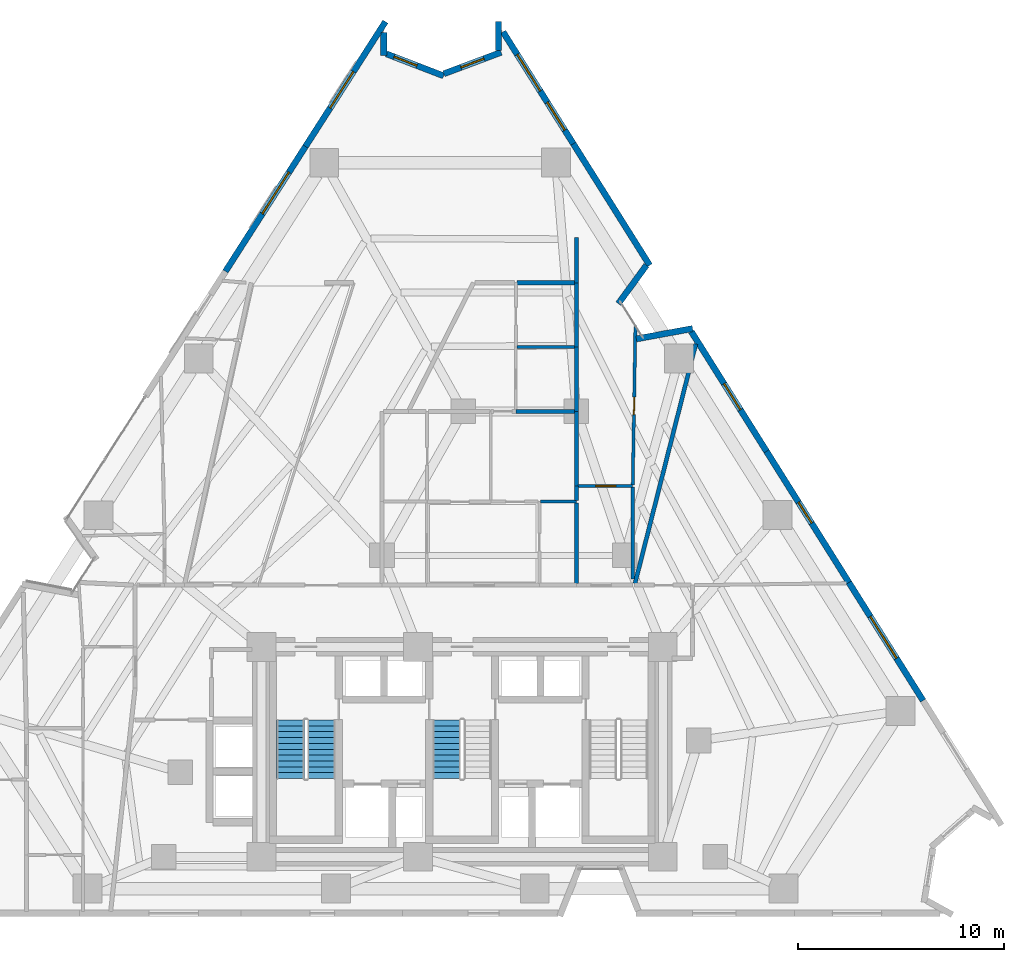
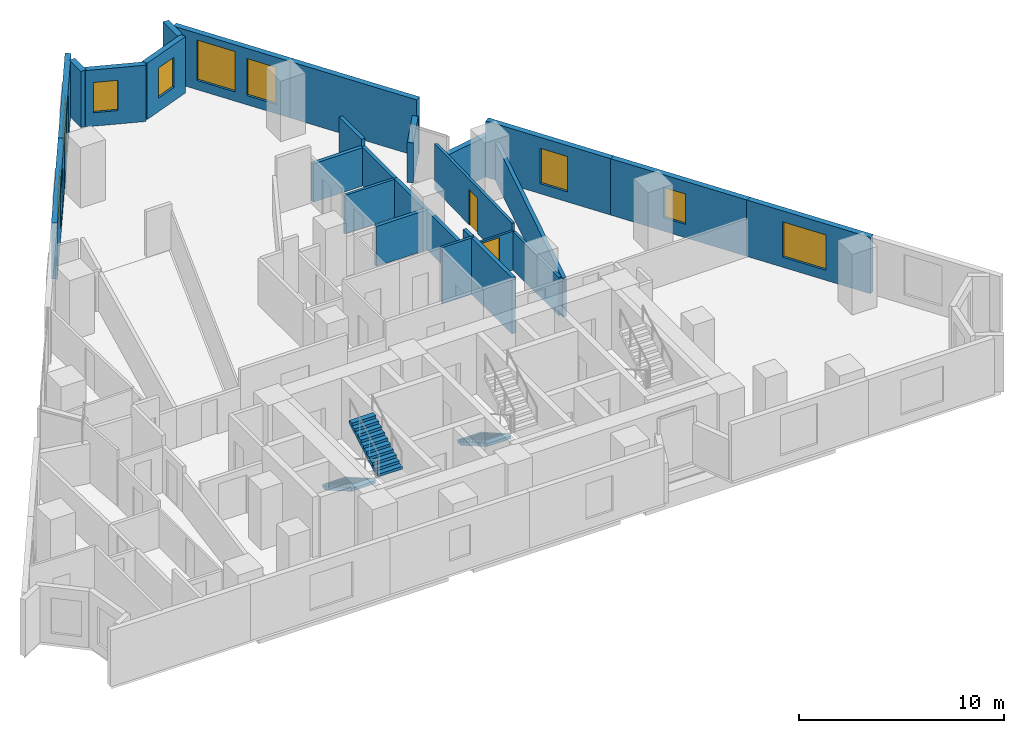
# One storey, part 10 of 14: 27 walls, 9 windows, 3 stair flights, 2 doors, 11 openings, 2 elements without a shape of their own.
"""IFC4 building model written with IfcOpenShell, lengths in metres."""

from ifc_helpers import new_model, si_unit, direction, frame, frame_2d, origin, place, context, subcontext, project, spatial, polyline, rectangle, outline, extrude, material, layer, layer_set, type_object, element, fill, aggregate, save


model = new_model("IFC4")

# Units and contexts
model_context = context("Model", 3, precision=1e-05, world=origin(), true_north=direction((0.0, 1.0)))
body_context = subcontext(model_context, "Body", "Model", "MODEL_VIEW")
ifc_project = project(units=[si_unit("LENGTHUNIT", "METRE"), si_unit("AREAUNIT", "SQUARE_METRE"), si_unit("VOLUMEUNIT", "CUBIC_METRE"), si_unit("PLANEANGLEUNIT", "RADIAN"), si_unit("MASSUNIT", "GRAM", prefix="KILO")], contexts=[model_context])

# Site, building, storey
site_placement = place(None, origin())
site = spatial("IfcSite", under=ifc_project, at=site_placement, CompositionType="ELEMENT")
building_placement = place(site_placement, origin())
building = spatial("IfcBuilding", under=site, at=building_placement, Name="Almagre Mirador Tower", CompositionType="ELEMENT")
storey_placement = place(building_placement, frame((0.0, 0.0, 60.60009765625)))
storey = spatial("IfcBuildingStorey", under=building, at=storey_placement, Name="L14", CompositionType="ELEMENT", Elevation=60.60009765625)

# Wall, opening, window
ifc_material_1 = material(Name="Precast concrete C50/60", Category="concrete")
ifc_layer_1 = layer(ifc_material_1, 0.300048828125)
ifc_layer_set_1 = layer_set([ifc_layer_1], Name="Precast concrete C50/60")
wall_type_1 = type_object("IfcWallType", Name="WAL-EXT-300", PredefinedType="SOLIDWALL", material=ifc_layer_set_1)
wall_1_placement = place(storey_placement, frame((25.7939453125, 33.00341796875, 0.0), z_axis=(0.0, 0.0, 1.0), x_axis=(0.539514050947, 0.841976596367, 0.0)))
wall_1 = element("IfcWall", 1, at=wall_1_placement, inside=storey, type_object=wall_type_1, Name="L14 expressed almagre precast frame wall 04", PredefinedType="SOLIDWALL", context=body_context, shape_type="SweptSolid", body=[
    extrude(rectangle(XDim=7.207275390625, YDim=0.300048828125, at=frame_2d((3.603515625, 0.0))), origin(), (0.0, 0.0, 1.0), 3.349853515625),
])
opening_1_placement = place(wall_1_placement, frame((3.324951171875, 0.0, 0.60009765625)))
opening_1 = element("IfcOpeningElement", 2, at=opening_1_placement, cuts=wall_1, Name="Opening WN-02", PredefinedType="OPENING", context=body_context, shape_type="SweptSolid", body=[
    extrude(rectangle(XDim=2.39990234375, YDim=2.10009765625, at=frame_2d((1.199951171875, 1.050048828125))), frame((0.0, 0.159902, 0.0), z_axis=(0.0, -1.0, 0.0), x_axis=(1.0, 0.0, 0.0)), (0.0, 0.0, 1.0), 0.320049),
])
ifc_material_2 = material(Name="Dark solar-control laminated hurricane glass", Category="glass")
window_type_1 = type_object("IfcWindowType", Name="WIN-2400X2100", PartitioningType="TRIPLE_PANEL_VERTICAL", PredefinedType="WINDOW", material=ifc_material_2)
window_1_placement = place(opening_1_placement, origin())
window_1 = element("IfcWindow", 3, at=window_1_placement, inside=storey, type_object=window_type_1, Name="L14 recessed hurricane window L14-UN-BT", OverallHeight=2.10009765625, OverallWidth=2.39990234375, PartitioningType="SINGLE_PANEL", PredefinedType="WINDOW", context=body_context, shape_type="SweptSolid", body=[
    extrude(rectangle(XDim=2.39990234375, YDim=2.10009765625, at=frame_2d((1.199951171875, 1.050048828125))), frame((0.0, 0.030029296875, 0.0), z_axis=(0.0, -1.0, 0.0), x_axis=(1.0, 0.0, 0.0)), (0.0, 0.0, 1.0), 0.06005859375),
])
fill(opening_1, window_1)

wall_2_placement = place(storey_placement, frame((29.682373046875, 39.07177734375, 0.0), z_axis=(0.0, 0.0, 1.0), x_axis=(0.5395054239, 0.841982124265, 0.0)))
wall_2 = element("IfcWall", 4, at=wall_2_placement, inside=storey, type_object=wall_type_1, Name="L14 expressed almagre precast frame wall 05", PredefinedType="SOLIDWALL", context=body_context, shape_type="SweptSolid", body=[
    extrude(rectangle(XDim=7.20703125, YDim=0.300048828125, at=frame_2d((3.603515625, 0.0))), origin(), (0.0, 0.0, 1.0), 3.349853515625),
])
opening_2_placement = place(wall_2_placement, frame((2.22509765625, 0.0, 0.550048828125)))
opening_2 = element("IfcOpeningElement", 5, at=opening_2_placement, cuts=wall_2, Name="Opening WN-05", PredefinedType="OPENING", context=body_context, shape_type="SweptSolid", body=[
    extrude(rectangle(XDim=2.10009765625, YDim=2.39990234375, at=frame_2d((1.050048828125, 1.199951171875))), frame((0.0, 0.159902, 0.0), z_axis=(0.0, -1.0, 0.0), x_axis=(1.0, 0.0, 0.0)), (0.0, 0.0, 1.0), 0.320049),
])
ifc_material_3 = material(Name="Dark solar-control laminated hurricane glass", Category="glass")
window_type_2 = type_object("IfcWindowType", Name="WIN-2100X2400", PartitioningType="DOUBLE_PANEL_VERTICAL", PredefinedType="WINDOW", material=ifc_material_3)
window_2_placement = place(opening_2_placement, origin())
window_2 = element("IfcWindow", 6, at=window_2_placement, inside=storey, type_object=window_type_2, Name="L14 recessed hurricane window L14-UN-ST", OverallHeight=2.39990234375, OverallWidth=2.10009765625, PartitioningType="SINGLE_PANEL", PredefinedType="WINDOW", context=body_context, shape_type="SweptSolid", body=[
    extrude(rectangle(XDim=2.10009765625, YDim=2.39990234375, at=frame_2d((1.050048828125, 1.199951171875))), frame((0.0, 0.030029296875, 0.0), z_axis=(0.0, -1.0, 0.0), x_axis=(1.0, 0.0, 0.0)), (0.0, 0.0, 1.0), 0.06005859375),
])
fill(opening_2, window_2)

# Wall
wall_3_placement = place(storey_placement, frame((33.492919921875, 44.612060546875, 0.0), z_axis=(0.0, 0.0, 1.0), x_axis=(-0.004991257271, -0.999987543598, 0.0)))
element("IfcWall", 7, at=wall_3_placement, inside=storey, type_object=wall_type_1, Name="L14 expressed almagre precast frame wall 06", PredefinedType="SOLIDWALL", context=body_context, shape_type="SweptSolid", body=[
    extrude(rectangle(XDim=1.125, YDim=0.300048828125, at=frame_2d((0.5625, 0.0))), origin(), (0.0, 0.0, 1.0), 3.349853515625),
])

# Wall, opening, window
wall_4_placement = place(storey_placement, frame((33.614013671875, 43.57861328125, 0.0), z_axis=(0.0, 0.0, 1.0), x_axis=(0.933166321884, -0.359444871576, 0.0)))
wall_4 = element("IfcWall", 8, at=wall_4_placement, inside=storey, type_object=wall_type_1, Name="L14 expressed almagre precast frame wall 07", PredefinedType="SOLIDWALL", context=body_context, shape_type="SweptSolid", body=[
    extrude(rectangle(XDim=2.985107421875, YDim=0.300048828125, at=frame_2d((1.49267578125, 0.0))), origin(), (0.0, 0.0, 1.0), 3.349853515625),
])
opening_3_placement = place(wall_4_placement, frame((0.39990234375, 0.0, 0.800048828125)))
opening_3 = element("IfcOpeningElement", 9, at=opening_3_placement, cuts=wall_4, Name="Opening WN-04", PredefinedType="OPENING", context=body_context, shape_type="SweptSolid", body=[
    extrude(rectangle(XDim=1.199951171875, YDim=1.800048828125, at=frame_2d((0.60009765625, 0.89990234375))), frame((0.0, 0.159902, 0.0), z_axis=(0.0, -1.0, 0.0), x_axis=(1.0, 0.0, 0.0)), (0.0, 0.0, 1.0), 0.320049),
])
ifc_material_4 = material(Name="Dark solar-control laminated hurricane glass", Category="glass")
window_type_3 = type_object("IfcWindowType", Name="WIN-1200X1800", PartitioningType="SINGLE_PANEL", PredefinedType="WINDOW", material=ifc_material_4)
window_3_placement = place(opening_3_placement, origin())
window_3 = element("IfcWindow", 10, at=window_3_placement, inside=storey, type_object=window_type_3, Name="L14 recessed hurricane window L14-UN-ST", OverallHeight=1.800048828125, OverallWidth=1.199951171875, PartitioningType="SINGLE_PANEL", PredefinedType="WINDOW", context=body_context, shape_type="SweptSolid", body=[
    extrude(rectangle(XDim=1.199951171875, YDim=1.800048828125, at=frame_2d((0.60009765625, 0.89990234375))), frame((0.0, 0.030029296875, 0.0), z_axis=(0.0, -1.0, 0.0), x_axis=(1.0, 0.0, 0.0)), (0.0, 0.0, 1.0), 0.06005859375),
])
fill(opening_3, window_3)

wall_5_placement = place(storey_placement, frame((36.409423828125, 42.608642578125, 0.0), z_axis=(0.0, 0.0, 1.0), x_axis=(0.936403459864, 0.350925291699, 0.0)))
wall_5 = element("IfcWall", 11, at=wall_5_placement, inside=storey, type_object=wall_type_1, Name="L14 expressed almagre precast frame wall 08", PredefinedType="SOLIDWALL", context=body_context, shape_type="SweptSolid", body=[
    extrude(rectangle(XDim=2.970703125, YDim=0.300048828125, at=frame_2d((1.4853515625, 0.0))), origin(), (0.0, 0.0, 1.0), 3.349853515625),
])
opening_4_placement = place(wall_5_placement, frame((0.885009765625, 0.0, 0.800048828125)))
opening_4 = element("IfcOpeningElement", 12, at=opening_4_placement, cuts=wall_5, Name="Opening WN-04", PredefinedType="OPENING", context=body_context, shape_type="SweptSolid", body=[
    extrude(rectangle(XDim=1.199951171875, YDim=1.800048828125, at=frame_2d((0.60009765625, 0.89990234375))), frame((0.0, 0.159902, 0.0), z_axis=(0.0, -1.0, 0.0), x_axis=(1.0, 0.0, 0.0)), (0.0, 0.0, 1.0), 0.320049),
])
window_4_placement = place(opening_4_placement, origin())
window_4 = element("IfcWindow", 13, at=window_4_placement, inside=storey, type_object=window_type_3, Name="L14 recessed hurricane window L14-UP-HB", OverallHeight=1.800048828125, OverallWidth=1.199951171875, PartitioningType="SINGLE_PANEL", PredefinedType="WINDOW", context=body_context, shape_type="SweptSolid", body=[
    extrude(rectangle(XDim=1.199951171875, YDim=1.800048828125, at=frame_2d((0.60009765625, 0.89990234375))), frame((0.0, 0.030029296875, 0.0), z_axis=(0.0, -1.0, 0.0), x_axis=(1.0, 0.0, 0.0)), (0.0, 0.0, 1.0), 0.06005859375),
])
fill(opening_4, window_4)

# Wall
wall_6_placement = place(storey_placement, frame((39.060546875, 43.737060546875, 0.0), z_axis=(0.0, 0.0, 1.0), x_axis=(0.004359916705, 0.999990495518, 0.0)))
element("IfcWall", 14, at=wall_6_placement, inside=storey, type_object=wall_type_1, Name="L14 expressed almagre precast frame wall 09", PredefinedType="SOLIDWALL", context=body_context, shape_type="SweptSolid", body=[
    extrude(rectangle(XDim=1.39990234375, YDim=0.300048828125, at=frame_2d((0.699951171875, 0.0))), origin(), (0.0, 0.0, 1.0), 3.349853515625),
])

# Wall, openings, windows
wall_7_placement = place(storey_placement, frame((39.28662109375, 44.6455078125, 0.0), z_axis=(0.0, 0.0, 1.0), x_axis=(0.531890491148, -0.846813146701, 0.0)))
wall_7 = element("IfcWall", 15, at=wall_7_placement, inside=storey, type_object=wall_type_1, Name="L14 expressed almagre precast frame wall 10", PredefinedType="SOLIDWALL", context=body_context, shape_type="SweptSolid", body=[
    extrude(rectangle(XDim=6.4228515625, YDim=0.300048828125, at=frame_2d((3.21142578125, 0.0))), origin(), (0.0, 0.0, 1.0), 3.349853515625),
])
opening_5_placement = place(wall_7_placement, frame((1.294921875, 0.0, 0.550048828125)))
opening_5 = element("IfcOpeningElement", 16, at=opening_5_placement, cuts=wall_7, Name="Opening WN-05", PredefinedType="OPENING", context=body_context, shape_type="SweptSolid", body=[
    extrude(rectangle(XDim=2.10009765625, YDim=2.39990234375, at=frame_2d((1.050048828125, 1.199951171875))), frame((0.0, 0.159902, 0.0), z_axis=(0.0, -1.0, 0.0), x_axis=(1.0, 0.0, 0.0)), (0.0, 0.0, 1.0), 0.320049),
])
opening_6_placement = place(wall_7_placement, frame((4.044921875, 0.0, 0.550048828125)))
opening_6 = element("IfcOpeningElement", 17, at=opening_6_placement, cuts=wall_7, Name="Opening WN-06", PredefinedType="OPENING", context=body_context, shape_type="SweptSolid", body=[
    extrude(rectangle(XDim=1.60009765625, YDim=2.199951171875, at=frame_2d((0.800048828125, 1.10009765625))), frame((0.0, 0.159902, 0.0), z_axis=(0.0, -1.0, 0.0), x_axis=(1.0, 0.0, 0.0)), (0.0, 0.0, 1.0), 0.320049),
])
ifc_material_5 = material(Name="Dark solar-control laminated hurricane glass", Category="glass")
window_type_4 = type_object("IfcWindowType", Name="WIN-1600X2200", PartitioningType="DOUBLE_PANEL_VERTICAL", PredefinedType="WINDOW", material=ifc_material_5)
window_5_placement = place(opening_6_placement, origin())
window_5 = element("IfcWindow", 18, at=window_5_placement, inside=storey, type_object=window_type_4, Name="L14 recessed hurricane window L14-UP-MB", OverallHeight=2.199951171875, OverallWidth=1.60009765625, PartitioningType="SINGLE_PANEL", PredefinedType="WINDOW", context=body_context, shape_type="SweptSolid", body=[
    extrude(rectangle(XDim=1.60009765625, YDim=2.199951171875, at=frame_2d((0.800048828125, 1.10009765625))), frame((0.0, 0.030029296875, 0.0), z_axis=(0.0, -1.0, 0.0), x_axis=(1.0, 0.0, 0.0)), (0.0, 0.0, 1.0), 0.06005859375),
])
fill(opening_6, window_5)
window_6_placement = place(opening_5_placement, origin())
window_6 = element("IfcWindow", 19, at=window_6_placement, inside=storey, type_object=window_type_2, Name="L14 recessed hurricane window L14-UP-HB", OverallHeight=2.39990234375, OverallWidth=2.10009765625, PartitioningType="SINGLE_PANEL", PredefinedType="WINDOW", context=body_context, shape_type="SweptSolid", body=[
    extrude(rectangle(XDim=2.10009765625, YDim=2.39990234375, at=frame_2d((1.050048828125, 1.199951171875))), frame((0.0, 0.030029296875, 0.0), z_axis=(0.0, -1.0, 0.0), x_axis=(1.0, 0.0, 0.0)), (0.0, 0.0, 1.0), 0.06005859375),
])
fill(opening_5, window_6)

# Walls
wall_8_placement = place(storey_placement, frame((42.702880859375, 39.20654296875, 0.0), z_axis=(0.0, 0.0, 1.0), x_axis=(0.531897092639, -0.846809000213, 0.0)))
element("IfcWall", 20, at=wall_8_placement, inside=storey, type_object=wall_type_1, Name="L14 expressed almagre precast frame wall 11", PredefinedType="SOLIDWALL", context=body_context, shape_type="SweptSolid", body=[
    extrude(rectangle(XDim=6.978271484375, YDim=0.300048828125, at=frame_2d((3.4892578125, 0.0))), origin(), (0.0, 0.0, 1.0), 3.349853515625),
])
wall_9_placement = place(storey_placement, frame((46.25732421875, 33.302978515625, 0.0), z_axis=(0.0, 0.0, 1.0), x_axis=(-0.590008651796, -0.807396922713, 0.0)))
element("IfcWall", 21, at=wall_9_placement, inside=storey, type_object=wall_type_1, Name="L14 expressed almagre precast frame wall 12", PredefinedType="SOLIDWALL", context=body_context, shape_type="SweptSolid", body=[
    extrude(rectangle(XDim=2.3134765625, YDim=0.300048828125, at=frame_2d((1.15673828125, 0.0))), origin(), (0.0, 0.0, 1.0), 2.375),
])
wall_10_placement = place(storey_placement, frame((45.763427734375, 29.718505859375, 0.0), z_axis=(0.0, 0.0, 1.0), x_axis=(0.983400490727, 0.181448270416, 0.0)))
element("IfcWall", 22, at=wall_10_placement, inside=storey, type_object=wall_type_1, Name="L14 expressed almagre precast frame wall 13", PredefinedType="SOLIDWALL", context=body_context, shape_type="SweptSolid", body=[
    extrude(rectangle(XDim=2.782470703125, YDim=0.300048828125, at=frame_2d((1.39111328125, 0.0))), origin(), (0.0, 0.0, 1.0), 2.375),
])

# Wall, opening, window
wall_11_placement = place(storey_placement, frame((48.436279296875, 30.07958984375, 0.0), z_axis=(0.0, 0.0, 1.0), x_axis=(0.531916220619, -0.846796985258, 0.0)))
wall_11 = element("IfcWall", 23, at=wall_11_placement, inside=storey, type_object=wall_type_1, Name="L14 expressed almagre precast frame wall 14", PredefinedType="SOLIDWALL", context=body_context, shape_type="SweptSolid", body=[
    extrude(rectangle(XDim=6.874267578125, YDim=0.300048828125, at=frame_2d((3.43701171875, 0.0))), origin(), (0.0, 0.0, 1.0), 3.349853515625),
])
opening_7_placement = place(wall_11_placement, frame((2.9951171875, 0.0, 0.60009765625)))
opening_7 = element("IfcOpeningElement", 24, at=opening_7_placement, cuts=wall_11, Name="Opening WN-03", PredefinedType="OPENING", context=body_context, shape_type="SweptSolid", body=[
    extrude(rectangle(XDim=1.5, YDim=2.10009765625, at=frame_2d((0.75, 1.050048828125))), frame((0.0, 0.159902, 0.0), z_axis=(0.0, -1.0, 0.0), x_axis=(1.0, 0.0, 0.0)), (0.0, 0.0, 1.0), 0.320049),
])
ifc_material_6 = material(Name="Dark solar-control laminated hurricane glass", Category="glass")
window_type_5 = type_object("IfcWindowType", Name="WIN-1500X2100", PartitioningType="DOUBLE_PANEL_VERTICAL", PredefinedType="WINDOW", material=ifc_material_6)
window_7_placement = place(opening_7_placement, origin())
window_7 = element("IfcWindow", 25, at=window_7_placement, inside=storey, type_object=window_type_5, Name="L14 recessed hurricane window L14-RST-L", OverallHeight=2.10009765625, OverallWidth=1.5, PartitioningType="SINGLE_PANEL", PredefinedType="WINDOW", context=body_context, shape_type="SweptSolid", body=[
    extrude(rectangle(XDim=1.5, YDim=2.10009765625, at=frame_2d((0.75, 1.050048828125))), frame((0.0, 0.030029296875, 0.0), z_axis=(0.0, -1.0, 0.0), x_axis=(1.0, 0.0, 0.0)), (0.0, 0.0, 1.0), 0.06005859375),
])
fill(opening_7, window_7)

wall_12_placement = place(storey_placement, frame((52.0927734375, 24.258544921875, 0.0), z_axis=(0.0, 0.0, 1.0), x_axis=(0.531905989854, -0.846803411635, 0.0)))
wall_12 = element("IfcWall", 26, at=wall_12_placement, inside=storey, type_object=wall_type_1, Name="L14 expressed almagre precast frame wall 15", PredefinedType="SOLIDWALL", context=body_context, shape_type="SweptSolid", body=[
    extrude(rectangle(XDim=7.531982421875, YDim=0.300048828125, at=frame_2d((3.76611328125, 0.0))), origin(), (0.0, 0.0, 1.0), 3.349853515625),
])
opening_8_placement = place(wall_12_placement, frame((2.925048828125, 0.0, 0.800048828125)))
opening_8 = element("IfcOpeningElement", 27, at=opening_8_placement, cuts=wall_12, Name="Opening WN-04", PredefinedType="OPENING", context=body_context, shape_type="SweptSolid", body=[
    extrude(rectangle(XDim=1.199951171875, YDim=1.800048828125, at=frame_2d((0.60009765625, 0.89990234375))), frame((0.0, 0.159902, 0.0), z_axis=(0.0, -1.0, 0.0), x_axis=(1.0, 0.0, 0.0)), (0.0, 0.0, 1.0), 0.320049),
])
window_8_placement = place(opening_8_placement, origin())
window_8 = element("IfcWindow", 28, at=window_8_placement, inside=storey, type_object=window_type_3, Name="L14 recessed hurricane window L14-RST-L", OverallHeight=1.800048828125, OverallWidth=1.199951171875, PartitioningType="SINGLE_PANEL", PredefinedType="WINDOW", context=body_context, shape_type="SweptSolid", body=[
    extrude(rectangle(XDim=1.199951171875, YDim=1.800048828125, at=frame_2d((0.60009765625, 0.89990234375))), frame((0.0, 0.030029296875, 0.0), z_axis=(0.0, -1.0, 0.0), x_axis=(1.0, 0.0, 0.0)), (0.0, 0.0, 1.0), 0.06005859375),
])
fill(opening_8, window_8)

wall_13_placement = place(storey_placement, frame((56.07080078125, 17.92529296875, 0.0), z_axis=(0.0, 0.0, 1.0), x_axis=(0.531906470689, -0.846803109607, 0.0)))
wall_13 = element("IfcWall", 29, at=wall_13_placement, inside=storey, type_object=wall_type_1, Name="L14 expressed almagre precast frame wall 16", PredefinedType="SOLIDWALL", context=body_context, shape_type="SweptSolid", body=[
    extrude(rectangle(XDim=6.828857421875, YDim=0.300048828125, at=frame_2d((3.41455078125, 0.0))), origin(), (0.0, 0.0, 1.0), 3.349853515625),
])
opening_9_placement = place(wall_13_placement, frame((2.0, 0.0, 0.60009765625)))
opening_9 = element("IfcOpeningElement", 30, at=opening_9_placement, cuts=wall_13, Name="Opening WN-02", PredefinedType="OPENING", context=body_context, shape_type="SweptSolid", body=[
    extrude(rectangle(XDim=2.39990234375, YDim=2.10009765625, at=frame_2d((1.199951171875, 1.050048828125))), frame((0.0, 0.159902, 0.0), z_axis=(0.0, -1.0, 0.0), x_axis=(1.0, 0.0, 0.0)), (0.0, 0.0, 1.0), 0.320049),
])
window_9_placement = place(opening_9_placement, origin())
window_9 = element("IfcWindow", 31, at=window_9_placement, inside=storey, type_object=window_type_1, Name="L14 recessed hurricane window L14-RST-E", OverallHeight=2.10009765625, OverallWidth=2.39990234375, PartitioningType="SINGLE_PANEL", PredefinedType="WINDOW", context=body_context, shape_type="SweptSolid", body=[
    extrude(rectangle(XDim=2.39990234375, YDim=2.10009765625, at=frame_2d((1.199951171875, 1.050048828125))), frame((0.0, 0.030029296875, 0.0), z_axis=(0.0, -1.0, 0.0), x_axis=(1.0, 0.0, 0.0)), (0.0, 0.0, 1.0), 0.06005859375),
])
fill(opening_9, window_9)

# Wall, opening, door
ifc_material_7 = material(Name="Gypsum acoustic stud partition", Category="other")
ifc_layer_2 = layer(ifc_material_7, 0.125)
ifc_layer_set_2 = layer_set([ifc_layer_2], Name="Gypsum acoustic stud partition")
wall_type_2 = type_object("IfcWallType", Name="WAL-PRT-125-UTL", PredefinedType="PARTITIONING", material=ifc_layer_set_2)
wall_14_placement = place(storey_placement, frame((45.590087890625, 22.570068359375, 0.0), z_axis=(0.0, 0.0, 1.0), x_axis=(-1.0, 0.0, 0.0)))
wall_14 = element("IfcWall", 32, at=wall_14_placement, inside=storey, type_object=wall_type_2, Name="L14 interior partition 070", PredefinedType="PARTITIONING", context=body_context, shape_type="SweptSolid", body=[
    extrude(rectangle(XDim=2.655029296875, YDim=0.125, at=frame_2d((1.32763671875, 0.0))), origin(), (0.0, 0.0, 1.0), 2.308837890625),
])
opening_10_placement = place(wall_14_placement, frame((0.8369140625, 0.0, 0.0)))
opening_10 = element("IfcOpeningElement", 33, at=opening_10_placement, cuts=wall_14, Name="Opening UD-01", PredefinedType="OPENING", context=body_context, shape_type="SweptSolid", body=[
    extrude(rectangle(XDim=0.949951171875, YDim=2.199951171875, at=frame_2d((0.47509765625, 1.10009765625))), frame((0.0, 0.0725, 0.0), z_axis=(0.0, -1.0, 0.0), x_axis=(1.0, 0.0, 0.0)), (0.0, 0.0, 1.0), 0.145),
])
ifc_material_8 = material(Name="Solid American walnut timber", Category="wood")
door_type_1 = type_object("IfcDoorType", Name="DOR-UNR-950X2200", OperationType="NOTDEFINED", PredefinedType="DOOR", material=ifc_material_8)
door_1_placement = place(opening_10_placement, origin())
door_1 = element("IfcDoor", 34, at=door_1_placement, inside=storey, type_object=door_type_1, Name="DR-0479 L14 interior door L14-UK-ST to L14-UK-KT", OperationType="SINGLE_SWING_RIGHT", OverallHeight=2.199951171875, OverallWidth=0.949951171875, PredefinedType="DOOR", context=body_context, shape_type="SweptSolid", body=[
    extrude(rectangle(XDim=0.949951171875, YDim=2.199951171875, at=frame_2d((0.47509765625, 1.10009765625))), frame((0.0, 0.02490234375, 0.0), z_axis=(0.0, -1.0, 0.0), x_axis=(1.0, 0.0, 0.0)), (0.0, 0.0, 1.0), 0.050048828125),
])
fill(opening_10, door_1)

# Walls
ifc_material_9 = material(Name="Gypsum acoustic stud partition", Category="other")
ifc_layer_3 = layer(ifc_material_9, 0.14990234375)
ifc_layer_set_3 = layer_set([ifc_layer_3], Name="Gypsum acoustic stud partition")
wall_type_3 = type_object("IfcWallType", Name="WAL-PRT-150-STD", PredefinedType="PARTITIONING", material=ifc_layer_set_3)
wall_15_placement = place(storey_placement, frame((42.85009765625, 21.81005859375, 0.0), z_axis=(0.0, 0.0, 1.0), x_axis=(-1.0, 0.0, 0.0)))
element("IfcWall", 35, at=wall_15_placement, inside=storey, type_object=wall_type_3, Name="L14 interior partition 059", PredefinedType="PARTITIONING", context=body_context, shape_type="SweptSolid", body=[
    extrude(rectangle(XDim=1.739990234375, YDim=0.14990234375, at=frame_2d((0.8701171875, 0.0))), origin(), (0.0, 0.0, 1.0), 3.349853515625),
])
wall_16_placement = place(storey_placement, frame((45.590087890625, 18.049072265625, 0.0), z_axis=(0.0, 0.0, 1.0), x_axis=(0.0, 1.0, 0.0)))
element("IfcWall", 36, at=wall_16_placement, inside=storey, type_object=wall_type_3, Name="L14 interior partition 071", PredefinedType="PARTITIONING", context=body_context, shape_type="SweptSolid", body=[
    extrude(rectangle(XDim=4.473388671875, YDim=0.14990234375, at=frame_2d((2.23681640625, 0.0))), origin(), (0.0, 0.0, 1.0), 2.27880859375),
])

# Wall, opening, door
wall_17_placement = place(storey_placement, frame((45.5908203125, 22.617431640625, 0.0), z_axis=(0.0, 0.0, 1.0), x_axis=(0.016675907723, 0.999860947383, 0.0)))
wall_17 = element("IfcWall", 37, at=wall_17_placement, inside=storey, type_object=wall_type_3, Name="L14 interior partition 072", PredefinedType="PARTITIONING", context=body_context, shape_type="SweptSolid", body=[
    extrude(rectangle(XDim=7.74462890625, YDim=0.14990234375, at=frame_2d((3.872314453125, 0.0))), origin(), (0.0, 0.0, 1.0), 2.7119140625),
])
opening_11_placement = place(wall_17_placement, frame((3.423583984375, 0.0, 0.0)))
opening_11 = element("IfcOpeningElement", 38, at=opening_11_placement, cuts=wall_17, Name="Opening UD-04", PredefinedType="OPENING", context=body_context, shape_type="SweptSolid", body=[
    extrude(rectangle(XDim=0.85009765625, YDim=2.10009765625, at=frame_2d((0.425048828125, 1.050048828125))), frame((0.0, 0.084951, 0.0), z_axis=(0.0, -1.0, 0.0), x_axis=(1.0, 0.0, 0.0)), (0.0, 0.0, 1.0), 0.169902),
])
ifc_material_10 = material(Name="Moisture-resistant oak timber", Category="wood")
door_type_2 = type_object("IfcDoorType", Name="DOR-UNR-850X2100", OperationType="NOTDEFINED", PredefinedType="DOOR", material=ifc_material_10)
door_2_placement = place(opening_11_placement, origin())
door_2 = element("IfcDoor", 39, at=door_2_placement, inside=storey, type_object=door_type_2, Name="DR-0480 L14 interior door L14-UK-KT to L14-UK-BT", OperationType="SINGLE_SWING_LEFT", OverallHeight=2.10009765625, OverallWidth=0.85009765625, PredefinedType="DOOR", context=body_context, shape_type="SweptSolid", body=[
    extrude(rectangle(XDim=0.85009765625, YDim=2.10009765625, at=frame_2d((0.425048828125, 1.050048828125))), frame((0.0, 0.02490234375, 0.0), z_axis=(0.0, -1.0, 0.0), x_axis=(1.0, 0.0, 0.0)), (0.0, 0.0, 1.0), 0.050048828125),
])
fill(opening_11, door_2)

# Walls
wall_18_placement = place(storey_placement, frame((42.764892578125, 29.330078125, 0.0), z_axis=(0.0, 0.0, 1.0), x_axis=(-1.0, 0.0, 0.0)))
element("IfcWall", 40, at=wall_18_placement, inside=storey, type_object=wall_type_3, Name="L14 interior partition 081", PredefinedType="PARTITIONING", context=body_context, shape_type="SweptSolid", body=[
    extrude(rectangle(XDim=2.807373046875, YDim=0.14990234375, at=frame_2d((1.40380859375, 0.0))), origin(), (0.0, 0.0, 1.0), 2.27880859375),
])
ifc_material_11 = material(Name="Gypsum acoustic stud partition", Category="other")
ifc_layer_4 = layer(ifc_material_11, 0.199951171875)
ifc_layer_set_4 = layer_set([ifc_layer_4], Name="Gypsum acoustic stud partition")
wall_type_4 = type_object("IfcWallType", Name="WAL-PRT-200-EI60", PredefinedType="PARTITIONING", material=ifc_layer_set_4)
wall_19_placement = place(storey_placement, frame((42.85009765625, 17.8349609375, 0.0), z_axis=(0.0, 0.0, 1.0), x_axis=(0.0, 1.0, 0.0)))
element("IfcWall", 41, at=wall_19_placement, inside=storey, type_object=wall_type_4, Name="L14 interior partition 060", PredefinedType="PARTITIONING", context=body_context, shape_type="SweptSolid", body=[
    extrude(rectangle(XDim=3.9150390625, YDim=0.199951171875, at=frame_2d((1.95751953125, 0.0))), origin(), (0.0, 0.0, 1.0), 3.349853515625),
])
wall_20_placement = place(storey_placement, frame((42.85009765625, 21.8701171875, 0.0), z_axis=(0.0, 0.0, 1.0), x_axis=(0.0, 1.0, 0.0)))
element("IfcWall", 42, at=wall_20_placement, inside=storey, type_object=wall_type_4, Name="L14 interior partition 065", PredefinedType="PARTITIONING", context=body_context, shape_type="SweptSolid", body=[
    extrude(rectangle(XDim=0.699951171875, YDim=0.199951171875, at=frame_2d((0.35009765625, 0.0))), origin(), (0.0, 0.0, 1.0), 3.349853515625),
])
wall_21_placement = place(storey_placement, frame((42.85009765625, 22.570068359375, 0.0), z_axis=(0.0, 0.0, 1.0), x_axis=(0.0, 1.0, 0.0)))
element("IfcWall", 43, at=wall_21_placement, inside=storey, type_object=wall_type_4, Name="L14 interior partition 066", PredefinedType="PARTITIONING", context=body_context, shape_type="SweptSolid", body=[
    extrude(rectangle(XDim=3.6298828125, YDim=0.199951171875, at=frame_2d((1.81494140625, 0.0))), origin(), (0.0, 0.0, 1.0), 2.308837890625),
])
wall_22_placement = place(storey_placement, frame((42.764892578125, 26.199951171875, 0.0), z_axis=(0.0, 0.0, 1.0), x_axis=(-1.0, 0.0, 0.0)))
element("IfcWall", 44, at=wall_22_placement, inside=storey, type_object=wall_type_4, Name="L14 interior partition 068", PredefinedType="PARTITIONING", context=body_context, shape_type="SweptSolid", body=[
    extrude(rectangle(XDim=2.85498046875, YDim=0.199951171875, at=frame_2d((1.427490234375, 0.0))), origin(), (0.0, 0.0, 1.0), 2.369873046875),
])
wall_23_placement = place(storey_placement, frame((42.85009765625, 29.330078125, 0.0), z_axis=(0.0, 0.0, 1.0), x_axis=(0.0, -1.0, 0.0)))
element("IfcWall", 45, at=wall_23_placement, inside=storey, type_object=wall_type_4, Name="L14 interior partition 073", PredefinedType="PARTITIONING", context=body_context, shape_type="SweptSolid", body=[
    extrude(rectangle(XDim=3.130126953125, YDim=0.199951171875, at=frame_2d((1.56494140625, 0.0))), origin(), (0.0, 0.0, 1.0), 2.27880859375),
])
wall_24_placement = place(storey_placement, frame((42.85009765625, 32.449951171875, 0.0), z_axis=(0.0, 0.0, 1.0), x_axis=(0.0, -1.0, 0.0)))
element("IfcWall", 46, at=wall_24_placement, inside=storey, type_object=wall_type_4, Name="L14 interior partition 074", PredefinedType="PARTITIONING", context=body_context, shape_type="SweptSolid", body=[
    extrude(rectangle(XDim=3.119873046875, YDim=0.199951171875, at=frame_2d((1.56005859375, 0.0))), origin(), (0.0, 0.0, 1.0), 2.27880859375),
])
wall_25_placement = place(storey_placement, frame((42.85009765625, 34.64990234375, 0.0), z_axis=(0.0, 0.0, 1.0), x_axis=(0.0, -1.0, 0.0)))
element("IfcWall", 47, at=wall_25_placement, inside=storey, type_object=wall_type_4, Name="L14 interior partition 075", PredefinedType="PARTITIONING", context=body_context, shape_type="SweptSolid", body=[
    extrude(rectangle(XDim=2.199951171875, YDim=0.199951171875, at=frame_2d((1.10009765625, 0.0))), origin(), (0.0, 0.0, 1.0), 2.7119140625),
])
wall_26_placement = place(storey_placement, frame((45.70068359375, 17.83251953125, 0.0), z_axis=(0.0, 0.0, 1.0), x_axis=(0.246225051857, 0.969212682458, 0.0)))
element("IfcWall", 48, at=wall_26_placement, inside=storey, type_object=wall_type_4, Name="L14 interior partition 076", PredefinedType="PARTITIONING", context=body_context, shape_type="SweptSolid", body=[
    extrude(rectangle(XDim=12.014404296875, YDim=0.199951171875, at=frame_2d((6.00732421875, 0.0))), origin(), (0.0, 0.0, 1.0), 2.308837890625),
])
wall_27_placement = place(storey_placement, frame((42.764892578125, 32.449951171875, 0.0), z_axis=(0.0, 0.0, 1.0), x_axis=(-1.0, 0.0, 0.0)))
element("IfcWall", 49, at=wall_27_placement, inside=storey, type_object=wall_type_4, Name="L14 interior partition 082", PredefinedType="PARTITIONING", context=body_context, shape_type="SweptSolid", body=[
    extrude(rectangle(XDim=2.794921875, YDim=0.199951171875, at=frame_2d((1.3974609375, 0.0))), origin(), (0.0, 0.0, 1.0), 2.27880859375),
])

# Stair, stair flights
ifc_material_12 = material(Name="Concrete C45/55", Category="concrete")
stair_type = type_object("IfcStairType", Name="STR-DL-3600", PredefinedType="HALF_TURN_STAIR", material=ifc_material_12)
stair_1_placement = place(storey_placement, origin())
stair_1 = element("IfcStair", 50, at=stair_1_placement, inside=storey, type_object=stair_type, Name="L14 Protected exit stair ST-1", PredefinedType="HALF_TURN_STAIR")
ifc_material_13 = material(Name="Concrete C45/55", Category="concrete")
stair_flight_type = type_object("IfcStairFlightType", Name="FLT-DL-3600", PredefinedType="STRAIGHT", material=ifc_material_13)
stair_flight_1_placement = place(storey_placement, frame((28.949951171875, 11.199951171875, 0.0), z_axis=(0.0, 0.0, 1.0), x_axis=(0.0, -1.0, 0.0)))
stair_flight_1 = element("IfcStairFlight", 51, at=stair_flight_1_placement, type_object=stair_flight_type, Name="ST-1 flight 1", NumberOfRisers=11, NumberOfTreads=10, PredefinedType="STRAIGHT", RiserHeight=0.163636364, TreadLength=0.285, context=body_context, shape_type="SweptSolid", body=[
    extrude(outline(polyline([(0.0, 0.0), (0.0, 0.16357421875), (0.284912109375, 0.16357421875), (0.284912109375, 0.327392578125), (0.570068359375, 0.327392578125), (0.570068359375, 0.490966796875), (0.85498046875, 0.490966796875), (0.85498046875, 0.654541015625), (1.139892578125, 0.654541015625), (1.139892578125, 0.818115234375), (1.425048828125, 0.818115234375), (1.425048828125, 0.98193359375), (1.7099609375, 0.98193359375), (1.7099609375, 1.1455078125), (1.9951171875, 1.1455078125), (1.9951171875, 1.30908203125), (2.280029296875, 1.30908203125), (2.280029296875, 1.47265625), (2.56494140625, 1.47265625), (2.56494140625, 1.636474609375), (2.85009765625, 1.636474609375), (2.85009765625, 1.800048828125), (2.85009765625, 1.463623046875), (0.301025390625, 0.0), (0.0, 0.0)])), frame((0.0, 0.675048828125, 0.0), z_axis=(0.0, -1.0, 0.0), x_axis=(1.0, 0.0, 0.0)), (0.0, 0.0, 1.0), 1.35009765625),
])
stair_flight_2_placement = place(storey_placement, frame((30.449951171875, 8.35009765625, 1.7998046875), z_axis=(0.0, 0.0, 1.0), x_axis=(0.0, 1.0, 0.0)))
stair_flight_2 = element("IfcStairFlight", 52, at=stair_flight_2_placement, type_object=stair_flight_type, Name="ST-1 flight 2", NumberOfRisers=11, NumberOfTreads=10, PredefinedType="STRAIGHT", RiserHeight=0.163636364, TreadLength=0.285, context=body_context, shape_type="SweptSolid", body=[
    extrude(outline(polyline([(0.0, 0.0), (0.0, 0.16357421875), (0.284912109375, 0.16357421875), (0.284912109375, 0.327392578125), (0.570068359375, 0.327392578125), (0.570068359375, 0.490966796875), (0.85498046875, 0.490966796875), (0.85498046875, 0.654541015625), (1.139892578125, 0.654541015625), (1.139892578125, 0.818115234375), (1.425048828125, 0.818115234375), (1.425048828125, 0.98193359375), (1.7099609375, 0.98193359375), (1.7099609375, 1.1455078125), (1.9951171875, 1.1455078125), (1.9951171875, 1.30908203125), (2.280029296875, 1.30908203125), (2.280029296875, 1.47265625), (2.56494140625, 1.47265625), (2.56494140625, 1.636474609375), (2.85009765625, 1.636474609375), (2.85009765625, 1.800048828125), (2.85009765625, 1.463623046875), (0.301025390625, 0.0), (0.0, 0.0)])), frame((0.0, 0.675048828125, 0.0), z_axis=(0.0, -1.0, 0.0), x_axis=(1.0, 0.0, 0.0)), (0.0, 0.0, 1.0), 1.35009765625),
])
aggregate(stair_1, [stair_flight_1, stair_flight_2])

# Stair, stair flight
stair_2_placement = place(storey_placement, origin())
stair_2 = element("IfcStair", 53, at=stair_2_placement, inside=storey, type_object=stair_type, Name="L14 Protected exit stair ST-2", PredefinedType="HALF_TURN_STAIR")
stair_flight_3_placement = place(storey_placement, frame((36.550048828125, 11.199951171875, 0.0), z_axis=(0.0, 0.0, 1.0), x_axis=(0.0, -1.0, 0.0)))
stair_flight_3 = element("IfcStairFlight", 54, at=stair_flight_3_placement, type_object=stair_flight_type, Name="ST-2 flight 1", NumberOfRisers=11, NumberOfTreads=10, PredefinedType="STRAIGHT", RiserHeight=0.163636364, TreadLength=0.285, context=body_context, shape_type="SweptSolid", body=[
    extrude(outline(polyline([(0.0, 0.0), (0.0, 0.16357421875), (0.284912109375, 0.16357421875), (0.284912109375, 0.327392578125), (0.570068359375, 0.327392578125), (0.570068359375, 0.490966796875), (0.85498046875, 0.490966796875), (0.85498046875, 0.654541015625), (1.139892578125, 0.654541015625), (1.139892578125, 0.818115234375), (1.425048828125, 0.818115234375), (1.425048828125, 0.98193359375), (1.7099609375, 0.98193359375), (1.7099609375, 1.1455078125), (1.9951171875, 1.1455078125), (1.9951171875, 1.30908203125), (2.280029296875, 1.30908203125), (2.280029296875, 1.47265625), (2.56494140625, 1.47265625), (2.56494140625, 1.636474609375), (2.85009765625, 1.636474609375), (2.85009765625, 1.800048828125), (2.85009765625, 1.463623046875), (0.301025390625, 0.0), (0.0, 0.0)])), frame((0.0, 0.675048828125, 0.0), z_axis=(0.0, -1.0, 0.0), x_axis=(1.0, 0.0, 0.0)), (0.0, 0.0, 1.0), 1.35009765625),
])
aggregate(stair_2, [stair_flight_3])

save(model, "model.ifc")
